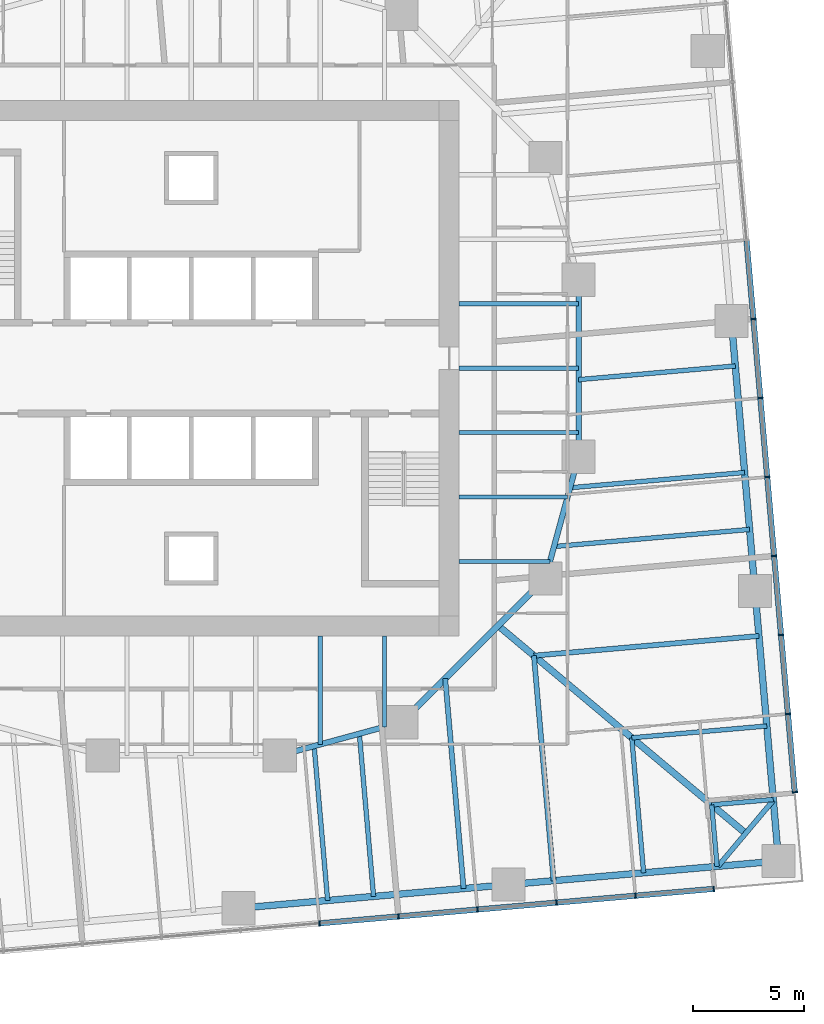
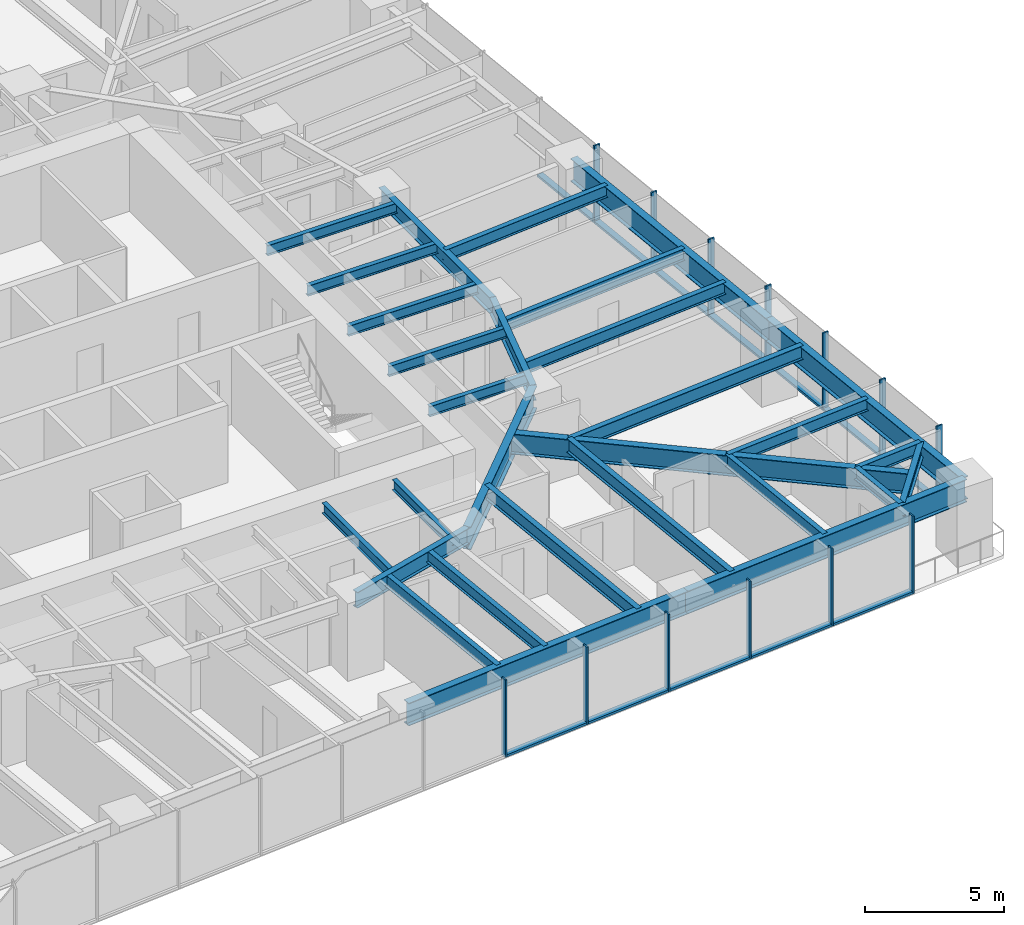
# One storey, part 4 of 14: 29 beams, 25 members, 2 elements without a shape of their own.
"""IFC4 building model written with IfcOpenShell, lengths in metres."""

from ifc_helpers import new_model, si_unit, direction, frame, origin, origin_2d, place, context, subcontext, project, spatial, rectangle, i_section, extrude, material, material_profile, profile_set, type_object, element, aggregate, save


model = new_model("IFC4")

# Units and contexts
model_context = context("Model", 3, precision=1e-05, world=origin(), true_north=direction((0.0, 1.0)))
body_context = subcontext(model_context, "Body", "Model", "MODEL_VIEW")
ifc_project = project(units=[si_unit("LENGTHUNIT", "METRE"), si_unit("AREAUNIT", "SQUARE_METRE"), si_unit("VOLUMEUNIT", "CUBIC_METRE"), si_unit("PLANEANGLEUNIT", "RADIAN"), si_unit("MASSUNIT", "GRAM", prefix="KILO")], contexts=[model_context])

# Site, building, storey
site_placement = place(None, origin())
site = spatial("IfcSite", under=ifc_project, at=site_placement, CompositionType="ELEMENT")
building_placement = place(site_placement, origin())
building = spatial("IfcBuilding", under=site, at=building_placement, Name="Torsade Residences", CompositionType="ELEMENT")
storey_placement = place(building_placement, frame((0.0, 0.0, 47.199951171875)))
storey = spatial("IfcBuildingStorey", under=building, at=storey_placement, Name="L12", CompositionType="ELEMENT", Elevation=47.199951171875)

# Beams
ifc_material_1 = material(Name="Steel grade 300", Category="steel")
ifc_material_profile_1 = material_profile(ifc_material_1, i_section(OverallWidth=0.300048828125, OverallDepth=0.89990234375, WebThickness=0.011962890625, FlangeThickness=0.02490234375, at=origin_2d()), Name="900WB175")
ifc_profile_set_1 = profile_set([ifc_material_profile_1], Name="Steel grade 300")
beam_type_1 = type_object("IfcBeamType", Name="CORNER GIRDER 900WB175", PredefinedType="BEAM", material=ifc_profile_set_1)
beam_1_placement = place(storey_placement, frame((65.052490234375, 8.978515625, 2.800048828125), z_axis=(-0.766046281307, 0.642785419012, 0.0), x_axis=(-0.642785419012, -0.766046281307, 0.0)))
element("IfcBeam", 1, at=beam_1_placement, inside=storey, type_object=beam_type_1, Name="Corner girder 05 L13", PredefinedType="BEAM", context=body_context, shape_type="SweptSolid", body=[
    extrude(i_section(OverallWidth=0.300048828125, OverallDepth=0.89990234375, WebThickness=0.011962890625, FlangeThickness=0.02490234375, at=origin_2d()), origin(), (0.0, 0.0, 1.0), 14.603515625),
])
ifc_material_2 = material(Name="Steel grade 300", Category="steel")
ifc_material_profile_2 = material_profile(ifc_material_2, i_section(OverallWidth=0.22802734375, OverallDepth=0.60205078125, WebThickness=0.010498046875, FlangeThickness=0.014892578125, FilletRadius=0.013916015625, at=origin_2d()), Name="610UB101")
ifc_profile_set_2 = profile_set([ifc_material_profile_2], Name="Steel grade 300")
beam_type_2 = type_object("IfcBeamType", Name="CORNER TRIMMER 610UB101", PredefinedType="BEAM", material=ifc_profile_set_2)
beam_2_placement = place(storey_placement, frame((66.302490234375, 10.468017578125, 2.948974609375), z_axis=(-0.642804819911, -0.766030001697, 0.0), x_axis=(0.766030001697, -0.642804819911, 0.0)))
element("IfcBeam", 2, at=beam_2_placement, inside=storey, type_object=beam_type_2, Name="Corner trimmer 05 L13", PredefinedType="BEAM", context=body_context, shape_type="SweptSolid", body=[
    extrude(i_section(OverallWidth=0.22802734375, OverallDepth=0.60205078125, WebThickness=0.010498046875, FlangeThickness=0.014892578125, FilletRadius=0.013916015625, at=origin_2d()), origin(), (0.0, 0.0, 1.0), 3.88916015625),
])

# Curtain wall, members
ifc_material_3 = material(Name="Aluminium and glass", Category="aluminium")
curtain_wall_type = type_object("IfcCurtainWallType", Name="FRITTED GLASS CURTAIN WALL LOW ZONE", PredefinedType="NOTDEFINED", material=ifc_material_3)
curtain_wall_1_placement = place(storey_placement, origin())
curtain_wall_1 = element("IfcCurtainWall", 3, at=curtain_wall_1_placement, inside=storey, type_object=curtain_wall_type, Name="Curtain wall L12 face 1", PredefinedType="NOTDEFINED")
ifc_material_4 = material(Name="Aluminium mullion", Category="aluminium")
ifc_material_profile_3 = material_profile(ifc_material_4, rectangle(XDim=0.25, YDim=0.06494140625, at=origin_2d()), Name="CURTAIN WALL MULLION 250x65")
ifc_profile_set_3 = profile_set([ifc_material_profile_3], Name="Aluminium mullion")
member_type_1 = type_object("IfcMemberType", Name="CURTAIN WALL MULLION 250x65", PredefinedType="MULLION", material=ifc_profile_set_3)
member_1_placement = place(storey_placement, frame((45.792236328125, 4.909423828125, 0.0), z_axis=(0.0, 0.0, 1.0), x_axis=(-0.087155744208, 0.996194697964, 0.0)))
member_1 = element("IfcMember", 4, at=member_1_placement, type_object=member_type_1, Name="Mullion 8", PredefinedType="MULLION", context=body_context, shape_type="SweptSolid", body=[
    extrude(rectangle(XDim=0.25, YDim=0.06494140625, at=origin_2d()), origin(), (0.0, 0.0, 1.0), 3.400146484375),
])
member_2_placement = place(storey_placement, frame((49.36181640625, 5.2216796875, 0.0), z_axis=(0.0, 0.0, 1.0), x_axis=(-0.087155744208, 0.996194697964, 0.0)))
member_2 = element("IfcMember", 5, at=member_2_placement, type_object=member_type_1, Name="Mullion 9", PredefinedType="MULLION", context=body_context, shape_type="SweptSolid", body=[
    extrude(rectangle(XDim=0.25, YDim=0.06494140625, at=origin_2d()), origin(), (0.0, 0.0, 1.0), 3.400146484375),
])
member_3_placement = place(storey_placement, frame((52.931640625, 5.533935546875, 0.0), z_axis=(0.0, 0.0, 1.0), x_axis=(-0.087155744208, 0.996194697964, 0.0)))
member_3 = element("IfcMember", 6, at=member_3_placement, type_object=member_type_1, Name="Mullion 10", PredefinedType="MULLION", context=body_context, shape_type="SweptSolid", body=[
    extrude(rectangle(XDim=0.25, YDim=0.06494140625, at=origin_2d()), origin(), (0.0, 0.0, 1.0), 3.400146484375),
])
member_4_placement = place(storey_placement, frame((56.501220703125, 5.84619140625, 0.0), z_axis=(0.0, 0.0, 1.0), x_axis=(-0.087155744208, 0.996194697964, 0.0)))
member_4 = element("IfcMember", 7, at=member_4_placement, type_object=member_type_1, Name="Mullion 11", PredefinedType="MULLION", context=body_context, shape_type="SweptSolid", body=[
    extrude(rectangle(XDim=0.25, YDim=0.06494140625, at=origin_2d()), origin(), (0.0, 0.0, 1.0), 3.400146484375),
])
member_5_placement = place(storey_placement, frame((60.071044921875, 6.15869140625, 0.0), z_axis=(0.0, 0.0, 1.0), x_axis=(-0.087155744208, 0.996194697964, 0.0)))
member_5 = element("IfcMember", 8, at=member_5_placement, type_object=member_type_1, Name="Mullion 12", PredefinedType="MULLION", context=body_context, shape_type="SweptSolid", body=[
    extrude(rectangle(XDim=0.25, YDim=0.06494140625, at=origin_2d()), origin(), (0.0, 0.0, 1.0), 3.400146484375),
])
member_6_placement = place(storey_placement, frame((63.6083984375, 6.468017578125, 0.0), z_axis=(0.0, 0.0, 1.0), x_axis=(-0.087155744208, 0.996194697964, 0.0)))
member_6 = element("IfcMember", 9, at=member_6_placement, type_object=member_type_1, Name="Mullion 13", PredefinedType="MULLION", context=body_context, shape_type="SweptSolid", body=[
    extrude(rectangle(XDim=0.25, YDim=0.06494140625, at=origin_2d()), origin(), (0.0, 0.0, 1.0), 3.400146484375),
])

curtain_wall_2_placement = place(storey_placement, origin())
curtain_wall_2 = element("IfcCurtainWall", 10, at=curtain_wall_2_placement, inside=storey, type_object=curtain_wall_type, Name="Curtain wall L12 face 4", PredefinedType="NOTDEFINED")
member_7_placement = place(storey_placement, frame((67.27392578125, 10.836669921875, 0.0), z_axis=(0.0, 0.0, 1.0), x_axis=(-0.996194697964, -0.087155744208, 0.0)))
member_7 = element("IfcMember", 11, at=member_7_placement, type_object=member_type_1, Name="Mullion 1", PredefinedType="MULLION", context=body_context, shape_type="SweptSolid", body=[
    extrude(rectangle(XDim=0.25, YDim=0.06494140625, at=origin_2d()), origin(), (0.0, 0.0, 1.0), 3.400146484375),
])
member_8_placement = place(storey_placement, frame((66.964599609375, 14.3740234375, 0.0), z_axis=(0.0, 0.0, 1.0), x_axis=(-0.996194697964, -0.087155744208, 0.0)))
member_8 = element("IfcMember", 12, at=member_8_placement, type_object=member_type_1, Name="Mullion 2", PredefinedType="MULLION", context=body_context, shape_type="SweptSolid", body=[
    extrude(rectangle(XDim=0.25, YDim=0.06494140625, at=origin_2d()), origin(), (0.0, 0.0, 1.0), 3.400146484375),
])
member_9_placement = place(storey_placement, frame((66.652099609375, 17.943603515625, 0.0), z_axis=(0.0, 0.0, 1.0), x_axis=(-0.996194697964, -0.087155744208, 0.0)))
member_9 = element("IfcMember", 13, at=member_9_placement, type_object=member_type_1, Name="Mullion 3", PredefinedType="MULLION", context=body_context, shape_type="SweptSolid", body=[
    extrude(rectangle(XDim=0.25, YDim=0.06494140625, at=origin_2d()), origin(), (0.0, 0.0, 1.0), 3.400146484375),
])
member_10_placement = place(storey_placement, frame((66.33984375, 21.513427734375, 0.0), z_axis=(0.0, 0.0, 1.0), x_axis=(-0.996194697964, -0.087155744208, 0.0)))
member_10 = element("IfcMember", 14, at=member_10_placement, type_object=member_type_1, Name="Mullion 4", PredefinedType="MULLION", context=body_context, shape_type="SweptSolid", body=[
    extrude(rectangle(XDim=0.25, YDim=0.06494140625, at=origin_2d()), origin(), (0.0, 0.0, 1.0), 3.400146484375),
])
member_11_placement = place(storey_placement, frame((66.027587890625, 25.0830078125, 0.0), z_axis=(0.0, 0.0, 1.0), x_axis=(-0.996194697964, -0.087155744208, 0.0)))
member_11 = element("IfcMember", 15, at=member_11_placement, type_object=member_type_1, Name="Mullion 5", PredefinedType="MULLION", context=body_context, shape_type="SweptSolid", body=[
    extrude(rectangle(XDim=0.25, YDim=0.06494140625, at=origin_2d()), origin(), (0.0, 0.0, 1.0), 3.400146484375),
])
member_12_placement = place(storey_placement, frame((65.71533203125, 28.65283203125, 0.0), z_axis=(0.0, 0.0, 1.0), x_axis=(-0.996194697964, -0.087155744208, 0.0)))
member_12 = element("IfcMember", 16, at=member_12_placement, type_object=member_type_1, Name="Mullion 6", PredefinedType="MULLION", context=body_context, shape_type="SweptSolid", body=[
    extrude(rectangle(XDim=0.25, YDim=0.06494140625, at=origin_2d()), origin(), (0.0, 0.0, 1.0), 3.400146484375),
])
member_13_placement = place(storey_placement, frame((65.403076171875, 32.222412109375, 0.0), z_axis=(0.0, 0.0, 1.0), x_axis=(-0.996194697964, -0.087155744208, 0.0)))
member_13 = element("IfcMember", 17, at=member_13_placement, type_object=member_type_1, Name="Mullion 7", PredefinedType="MULLION", context=body_context, shape_type="SweptSolid", body=[
    extrude(rectangle(XDim=0.25, YDim=0.06494140625, at=origin_2d()), origin(), (0.0, 0.0, 1.0), 3.400146484375),
])

# Member
ifc_material_5 = material(Name="Aluminium transom", Category="aluminium")
ifc_material_profile_4 = material_profile(ifc_material_5, rectangle(XDim=0.25, YDim=0.10009765625, at=origin_2d()), Name="CURTAIN WALL TRANSOM 250x100")
ifc_profile_set_4 = profile_set([ifc_material_profile_4], Name="Aluminium transom")
member_type_2 = type_object("IfcMemberType", Name="CURTAIN WALL TRANSOM 250x100", PredefinedType="USERDEFINED", material=ifc_profile_set_4)
member_14_placement = place(storey_placement, frame((45.824462890625, 4.912109375, 0.050048828125), z_axis=(0.996195148363, 0.08715059597, 0.0), x_axis=(-0.08715059597, 0.996195148363, 0.0)))
member_14 = element("IfcMember", 18, at=member_14_placement, type_object=member_type_2, Name="Transom 8.1", ObjectType="TRANSOM", PredefinedType="USERDEFINED", context=body_context, shape_type="SweptSolid", body=[
    extrude(rectangle(XDim=0.25, YDim=0.10009765625, at=origin_2d()), origin(), (0.0, 0.0, 1.0), 3.5185546875),
])

member_15_placement = place(storey_placement, frame((49.394287109375, 5.224365234375, 0.050048828125), z_axis=(0.996194621295, 0.087156620531, 0.0), x_axis=(-0.087156620531, 0.996194621295, 0.0)))
member_15 = element("IfcMember", 19, at=member_15_placement, type_object=member_type_2, Name="Transom 9.1", ObjectType="TRANSOM", PredefinedType="USERDEFINED", context=body_context, shape_type="SweptSolid", body=[
    extrude(rectangle(XDim=0.25, YDim=0.10009765625, at=origin_2d()), origin(), (0.0, 0.0, 1.0), 3.518310546875),
])

member_16_placement = place(storey_placement, frame((52.9638671875, 5.536865234375, 0.050048828125), z_axis=(0.996195148363, 0.08715059597, 0.0), x_axis=(-0.08715059597, 0.996195148363, 0.0)))
member_16 = element("IfcMember", 20, at=member_16_placement, type_object=member_type_2, Name="Transom 10.1", ObjectType="TRANSOM", PredefinedType="USERDEFINED", context=body_context, shape_type="SweptSolid", body=[
    extrude(rectangle(XDim=0.25, YDim=0.10009765625, at=origin_2d()), origin(), (0.0, 0.0, 1.0), 3.5185546875),
])

member_17_placement = place(storey_placement, frame((56.53369140625, 5.84912109375, 0.050048828125), z_axis=(0.996194621295, 0.087156620531, 0.0), x_axis=(-0.087156620531, 0.996194621295, 0.0)))
member_17 = element("IfcMember", 21, at=member_17_placement, type_object=member_type_2, Name="Transom 11.1", ObjectType="TRANSOM", PredefinedType="USERDEFINED", context=body_context, shape_type="SweptSolid", body=[
    extrude(rectangle(XDim=0.25, YDim=0.10009765625, at=origin_2d()), origin(), (0.0, 0.0, 1.0), 3.518310546875),
])

member_18_placement = place(storey_placement, frame((60.103271484375, 6.161376953125, 0.050048828125), z_axis=(0.996191284475, 0.08719475177, 0.0), x_axis=(-0.08719475177, 0.996191284475, 0.0)))
member_18 = element("IfcMember", 22, at=member_18_placement, type_object=member_type_2, Name="Transom 12.1", ObjectType="TRANSOM", PredefinedType="USERDEFINED", context=body_context, shape_type="SweptSolid", body=[
    extrude(rectangle(XDim=0.25, YDim=0.10009765625, at=origin_2d()), origin(), (0.0, 0.0, 1.0), 3.48583984375),
])

aggregate(curtain_wall_1, [member_1, member_2, member_3, member_4, member_5, member_6, member_14, member_15, member_16, member_17, member_18])

member_19_placement = place(storey_placement, frame((67.271240234375, 10.869140625, 0.050048828125), z_axis=(-0.0872008357, 0.996190751941, 0.0), x_axis=(-0.996190751941, -0.0872008357, 0.0)))
member_19 = element("IfcMember", 23, at=member_19_placement, type_object=member_type_2, Name="Transom 1.1", ObjectType="TRANSOM", PredefinedType="USERDEFINED", context=body_context, shape_type="SweptSolid", body=[
    extrude(rectangle(XDim=0.25, YDim=0.10009765625, at=origin_2d()), origin(), (0.0, 0.0, 1.0), 3.485595703125),
])

member_20_placement = place(storey_placement, frame((66.961669921875, 14.40625, 0.050048828125), z_axis=(-0.08715059597, 0.996195148363, 0.0), x_axis=(-0.996195148363, -0.08715059597, 0.0)))
member_20 = element("IfcMember", 24, at=member_20_placement, type_object=member_type_2, Name="Transom 2.1", ObjectType="TRANSOM", PredefinedType="USERDEFINED", context=body_context, shape_type="SweptSolid", body=[
    extrude(rectangle(XDim=0.25, YDim=0.10009765625, at=origin_2d()), origin(), (0.0, 0.0, 1.0), 3.5185546875),
])

member_21_placement = place(storey_placement, frame((66.6494140625, 17.97607421875, 0.050048828125), z_axis=(-0.087156620531, 0.996194621295, 0.0), x_axis=(-0.996194621295, -0.087156620531, 0.0)))
member_21 = element("IfcMember", 25, at=member_21_placement, type_object=member_type_2, Name="Transom 3.1", ObjectType="TRANSOM", PredefinedType="USERDEFINED", context=body_context, shape_type="SweptSolid", body=[
    extrude(rectangle(XDim=0.25, YDim=0.10009765625, at=origin_2d()), origin(), (0.0, 0.0, 1.0), 3.518310546875),
])

member_22_placement = place(storey_placement, frame((66.337158203125, 21.545654296875, 0.050048828125), z_axis=(-0.08715059597, 0.996195148363, 0.0), x_axis=(-0.996195148363, -0.08715059597, 0.0)))
member_22 = element("IfcMember", 26, at=member_22_placement, type_object=member_type_2, Name="Transom 4.1", ObjectType="TRANSOM", PredefinedType="USERDEFINED", context=body_context, shape_type="SweptSolid", body=[
    extrude(rectangle(XDim=0.25, YDim=0.10009765625, at=origin_2d()), origin(), (0.0, 0.0, 1.0), 3.5185546875),
])

member_23_placement = place(storey_placement, frame((66.024658203125, 25.115478515625, 0.050048828125), z_axis=(-0.087156620531, 0.996194621295, 0.0), x_axis=(-0.996194621295, -0.087156620531, 0.0)))
member_23 = element("IfcMember", 27, at=member_23_placement, type_object=member_type_2, Name="Transom 5.1", ObjectType="TRANSOM", PredefinedType="USERDEFINED", context=body_context, shape_type="SweptSolid", body=[
    extrude(rectangle(XDim=0.25, YDim=0.10009765625, at=origin_2d()), origin(), (0.0, 0.0, 1.0), 3.518310546875),
])

member_24_placement = place(storey_placement, frame((65.71240234375, 28.68505859375, 0.050048828125), z_axis=(-0.08715059597, 0.996195148363, 0.0), x_axis=(-0.996195148363, -0.08715059597, 0.0)))
member_24 = element("IfcMember", 28, at=member_24_placement, type_object=member_type_2, Name="Transom 6.1", ObjectType="TRANSOM", PredefinedType="USERDEFINED", context=body_context, shape_type="SweptSolid", body=[
    extrude(rectangle(XDim=0.25, YDim=0.10009765625, at=origin_2d()), origin(), (0.0, 0.0, 1.0), 3.5185546875),
])

member_25_placement = place(storey_placement, frame((65.400146484375, 32.2548828125, 0.050048828125), z_axis=(-0.087156620531, 0.996194621295, 0.0), x_axis=(-0.996194621295, -0.087156620531, 0.0)))
member_25 = element("IfcMember", 29, at=member_25_placement, type_object=member_type_2, Name="Transom 7.1", ObjectType="TRANSOM", PredefinedType="USERDEFINED", context=body_context, shape_type="SweptSolid", body=[
    extrude(rectangle(XDim=0.25, YDim=0.10009765625, at=origin_2d()), origin(), (0.0, 0.0, 1.0), 3.518310546875),
])

aggregate(curtain_wall_2, [member_7, member_8, member_9, member_10, member_11, member_12, member_13, member_19, member_20, member_21, member_22, member_23, member_24, member_25])

# Beams
ifc_material_6 = material(Name="Steel grade 300", Category="steel")
ifc_material_profile_5 = material_profile(ifc_material_6, i_section(OverallWidth=0.300048828125, OverallDepth=1.0, WebThickness=0.01611328125, FlangeThickness=0.028076171875, at=origin_2d()), Name="1000WB215")
ifc_profile_set_5 = profile_set([ifc_material_profile_5], Name="Steel grade 300")
beam_type_3 = type_object("IfcBeamType", Name="EDGE BEAM 1000WB215", PredefinedType="SPANDREL", material=ifc_profile_set_5)
for number, where, z_axis, x_axis, name in (
    (30, (42.13525390625, 5.59326171875, 2.75), (0.996194907201, 0.08715335259, 0.0), (-0.08715335259, 0.996194907201, 0.0), "Edge beam 03 L13"),
    (31, (54.338623046875, 6.660888671875, 2.75), (0.996194907201, 0.08715335259, 0.0), (-0.08715335259, 0.996194907201, 0.0), "Edge beam 04 L13"),
    (32, (66.5419921875, 7.728515625, 2.75), (-0.08715335259, 0.996194907201, 0.0), (-0.996194907201, -0.08715335259, 0.0), "Edge beam 05 L13"),
    (33, (65.474365234375, 19.931884765625, 2.75), (-0.08715335259, 0.996194907201, 0.0), (-0.996194907201, -0.08715335259, 0.0), "Edge beam 06 L13"),
):
    element("IfcBeam", number, at=place(storey_placement, frame(where, z_axis=z_axis, x_axis=x_axis)), inside=storey, type_object=beam_type_3, Name=name, PredefinedType="SPANDREL", context=body_context, shape_type="SweptSolid", body=[
        extrude(i_section(OverallWidth=0.300048828125, OverallDepth=1.0, WebThickness=0.01611328125, FlangeThickness=0.028076171875, at=origin_2d()), origin(), (0.0, 0.0, 1.0), 12.25),
    ])
ifc_material_7 = material(Name="Steel grade 300", Category="steel")
ifc_material_profile_6 = material_profile(ifc_material_7, i_section(OverallWidth=0.18994140625, OverallDepth=0.4541015625, WebThickness=0.008544921875, FlangeThickness=0.0126953125, FilletRadius=0.011474609375, at=origin_2d()), Name="460UB67.1")
ifc_profile_set_6 = profile_set([ifc_material_profile_6], Name="Steel grade 300")
beam_type_4 = type_object("IfcBeamType", Name="INNER FLOOR BEAM 460UB67.1", PredefinedType="JOIST", material=ifc_profile_set_6)
beam_3_placement = place(storey_placement, frame((48.737548828125, 17.89990234375, 3.02294921875), z_axis=(0.0, -1.0, 0.0), x_axis=(1.0, 0.0, 0.0)))
element("IfcBeam", 34, at=beam_3_placement, inside=storey, type_object=beam_type_4, Name="Inner floor beam IS01 L13", PredefinedType="JOIST", context=body_context, shape_type="SweptSolid", body=[
    extrude(i_section(OverallWidth=0.18994140625, OverallDepth=0.4541015625, WebThickness=0.008544921875, FlangeThickness=0.0126953125, FilletRadius=0.011474609375, at=origin_2d()), origin(), (0.0, 0.0, 1.0), 4.10791015625),
])
beam_4_placement = place(storey_placement, frame((45.824951171875, 17.89990234375, 3.02294921875), z_axis=(0.0, -1.0, 0.0), x_axis=(1.0, 0.0, 0.0)))
element("IfcBeam", 35, at=beam_4_placement, inside=storey, type_object=beam_type_4, Name="Inner floor beam IS02 L13", PredefinedType="JOIST", context=body_context, shape_type="SweptSolid", body=[
    extrude(i_section(OverallWidth=0.18994140625, OverallDepth=0.4541015625, WebThickness=0.008544921875, FlangeThickness=0.0126953125, FilletRadius=0.011474609375, at=origin_2d()), origin(), (0.0, 0.0, 1.0), 4.902099609375),
])
beam_5_placement = place(storey_placement, frame((52.10009765625, 21.262451171875, 3.02294921875), z_axis=(1.0, 0.0, 0.0), x_axis=(0.0, 1.0, 0.0)))
element("IfcBeam", 36, at=beam_5_placement, inside=storey, type_object=beam_type_4, Name="Inner floor beam IE01 L13", PredefinedType="JOIST", context=body_context, shape_type="SweptSolid", body=[
    extrude(i_section(OverallWidth=0.18994140625, OverallDepth=0.4541015625, WebThickness=0.008544921875, FlangeThickness=0.0126953125, FilletRadius=0.011474609375, at=origin_2d()), origin(), (0.0, 0.0, 1.0), 4.10791015625),
])
beam_6_placement = place(storey_placement, frame((52.10009765625, 24.175048828125, 3.02294921875), z_axis=(1.0, 0.0, 0.0), x_axis=(0.0, 1.0, 0.0)))
element("IfcBeam", 37, at=beam_6_placement, inside=storey, type_object=beam_type_4, Name="Inner floor beam IE02 L13", PredefinedType="JOIST", context=body_context, shape_type="SweptSolid", body=[
    extrude(i_section(OverallWidth=0.18994140625, OverallDepth=0.4541015625, WebThickness=0.008544921875, FlangeThickness=0.0126953125, FilletRadius=0.011474609375, at=origin_2d()), origin(), (0.0, 0.0, 1.0), 4.902099609375),
])
for number, where, z_axis, x_axis, name in (
    (38, (52.10009765625, 27.08740234375, 3.02294921875), (1.0, 0.0, 0.0), (0.0, 1.0, 0.0), "Inner floor beam IE03 L13"),
    (39, (52.10009765625, 30.0, 3.02294921875), (1.0, 0.0, 0.0), (0.0, 1.0, 0.0), "Inner floor beam IE04 L13"),
    (40, (52.10009765625, 32.91259765625, 3.02294921875), (1.0, 0.0, 0.0), (0.0, 1.0, 0.0), "Inner floor beam IE05 L13"),
):
    element("IfcBeam", number, at=place(storey_placement, frame(where, z_axis=z_axis, x_axis=x_axis)), inside=storey, type_object=beam_type_4, Name=name, PredefinedType="JOIST", context=body_context, shape_type="SweptSolid", body=[
        extrude(i_section(OverallWidth=0.18994140625, OverallDepth=0.4541015625, WebThickness=0.008544921875, FlangeThickness=0.0126953125, FilletRadius=0.011474609375, at=origin_2d()), origin(), (0.0, 0.0, 1.0), 5.39990234375),
    ])
ifc_material_8 = material(Name="Steel grade 300", Category="steel")
ifc_material_profile_7 = material_profile(ifc_material_8, i_section(OverallWidth=0.300048828125, OverallDepth=1.0, WebThickness=0.01611328125, FlangeThickness=0.028076171875, at=origin_2d()), Name="1000WB215")
ifc_profile_set_7 = profile_set([ifc_material_profile_7], Name="Steel grade 300")
beam_type_5 = type_object("IfcBeamType", Name="RING CORNER GIRDER 1000WB215", PredefinedType="BEAM", material=ifc_profile_set_7)
beam_7_placement = place(storey_placement, frame((49.5, 14.0, 2.75), z_axis=(0.707106781187, 0.707106781187, 0.0), x_axis=(-0.707106781187, 0.707106781187, 0.0)))
element("IfcBeam", 41, at=beam_7_placement, inside=storey, type_object=beam_type_5, Name="Ring girder IR15 L13", PredefinedType="BEAM", context=body_context, shape_type="SweptSolid", body=[
    extrude(i_section(OverallWidth=0.300048828125, OverallDepth=1.0, WebThickness=0.01611328125, FlangeThickness=0.028076171875, at=origin_2d()), origin(), (0.0, 0.0, 1.0), 9.1923828125),
])
ifc_material_9 = material(Name="Steel grade 300", Category="steel")
ifc_material_profile_8 = material_profile(ifc_material_9, i_section(OverallWidth=0.25, OverallDepth=0.699951171875, WebThickness=0.010009765625, FlangeThickness=0.02001953125, at=origin_2d()), Name="700WB130")
ifc_profile_set_8 = profile_set([ifc_material_profile_8], Name="Steel grade 300")
beam_type_6 = type_object("IfcBeamType", Name="RING GIRDER 700WB130", PredefinedType="BEAM", material=ifc_profile_set_8)
beam_8_placement = place(storey_placement, frame((57.5, 26.0, 2.900146484375), z_axis=(0.0, 1.0, 0.0), x_axis=(-1.0, 0.0, 0.0)))
element("IfcBeam", 42, at=beam_8_placement, inside=storey, type_object=beam_type_6, Name="Ring girder IR01 L13", PredefinedType="BEAM", context=body_context, shape_type="SweptSolid", body=[
    extrude(i_section(OverallWidth=0.25, OverallDepth=0.699951171875, WebThickness=0.010009765625, FlangeThickness=0.02001953125, at=origin_2d()), origin(), (0.0, 0.0, 1.0), 8.0),
])
for number, where, z_axis, x_axis, name in (
    (43, (44.0, 12.5, 2.900146484375), (0.964763821238, 0.263117405792, 0.0), (-0.263117405792, 0.964763821238, 0.0), "Ring girder IR14 L13"),
    (44, (56.0, 20.5, 2.900146484375), (0.263117405792, 0.964763821238, 0.0), (-0.964763821238, 0.263117405792, 0.0), "Ring girder IR16 L13"),
):
    element("IfcBeam", number, at=place(storey_placement, frame(where, z_axis=z_axis, x_axis=x_axis)), inside=storey, type_object=beam_type_6, Name=name, PredefinedType="BEAM", context=body_context, shape_type="SweptSolid", body=[
        extrude(i_section(OverallWidth=0.25, OverallDepth=0.699951171875, WebThickness=0.010009765625, FlangeThickness=0.02001953125, at=origin_2d()), origin(), (0.0, 0.0, 1.0), 5.700927734375),
    ])
ifc_material_10 = material(Name="Steel grade 300", Category="steel")
ifc_material_profile_9 = material_profile(ifc_material_10, i_section(OverallWidth=0.208984375, OverallDepth=0.528076171875, WebThickness=0.009521484375, FlangeThickness=0.01318359375, FilletRadius=0.013916015625, at=origin_2d()), Name="530UB82.0")
ifc_profile_set_9 = profile_set([ifc_material_profile_9], Name="Steel grade 300")
beam_type_7 = type_object("IfcBeamType", Name="SECONDARY BEAM 530UB82.0", PredefinedType="JOIST", material=ifc_profile_set_9)
beam_9_placement = place(storey_placement, frame((46.16162109375, 5.945556640625, 2.986083984375), z_axis=(-0.087175598142, 0.99619296077, 0.0), x_axis=(-0.99619296077, -0.087175598142, 0.0)))
element("IfcBeam", 45, at=beam_9_placement, inside=storey, type_object=beam_type_7, Name="Floor beam FS07 L13", PredefinedType="JOIST", context=body_context, shape_type="SweptSolid", body=[
    extrude(i_section(OverallWidth=0.208984375, OverallDepth=0.528076171875, WebThickness=0.009521484375, FlangeThickness=0.01318359375, FilletRadius=0.013916015625, at=origin_2d()), origin(), (0.0, 0.0, 1.0), 7.004150390625),
])
beam_10_placement = place(storey_placement, frame((48.237060546875, 6.126953125, 2.986083984375), z_axis=(-0.087156282128, 0.996194650902, 0.0), x_axis=(-0.996194650902, -0.087156282128, 0.0)))
element("IfcBeam", 46, at=beam_10_placement, inside=storey, type_object=beam_type_7, Name="Floor beam FS08 L13", PredefinedType="JOIST", context=body_context, shape_type="SweptSolid", body=[
    extrude(i_section(OverallWidth=0.208984375, OverallDepth=0.528076171875, WebThickness=0.009521484375, FlangeThickness=0.01318359375, FilletRadius=0.013916015625, at=origin_2d()), origin(), (0.0, 0.0, 1.0), 7.381103515625),
])
beam_11_placement = place(storey_placement, frame((60.4404296875, 7.19482421875, 2.986083984375), z_axis=(-0.087174861801, 0.996193025206, 0.0), x_axis=(-0.996193025206, -0.087174861801, 0.0)))
element("IfcBeam", 47, at=beam_11_placement, inside=storey, type_object=beam_type_7, Name="Floor beam FS11 L13", PredefinedType="JOIST", context=body_context, shape_type="SweptSolid", body=[
    extrude(i_section(OverallWidth=0.208984375, OverallDepth=0.528076171875, WebThickness=0.009521484375, FlangeThickness=0.01318359375, FilletRadius=0.013916015625, at=origin_2d()), origin(), (0.0, 0.0, 1.0), 6.125),
])
for number, where, z_axis, x_axis, name in (
    (48, (63.760986328125, 7.4853515625, 2.986083984375), (-0.087105111923, 0.996199126418, 0.0), (-0.996199126418, -0.087105111923, 0.0), "Floor beam FS12 L13"),
    (49, (66.298828125, 10.509521484375, 2.986083984375), (-0.996199126418, -0.087105111923, 0.0), (0.087105111923, -0.996199126418, 0.0), "Floor beam FE01 L13"),
):
    element("IfcBeam", number, at=place(storey_placement, frame(where, z_axis=z_axis, x_axis=x_axis)), inside=storey, type_object=beam_type_7, Name=name, PredefinedType="JOIST", context=body_context, shape_type="SweptSolid", body=[
        extrude(i_section(OverallWidth=0.208984375, OverallDepth=0.528076171875, WebThickness=0.009521484375, FlangeThickness=0.01318359375, FilletRadius=0.013916015625, at=origin_2d()), origin(), (0.0, 0.0, 1.0), 2.79150390625),
    ])
beam_12_placement = place(storey_placement, frame((66.00830078125, 13.830322265625, 2.986083984375), z_axis=(-0.996193328106, -0.087171400335, 0.0), x_axis=(0.087171400335, -0.996193328106, 0.0)))
element("IfcBeam", 50, at=beam_12_placement, inside=storey, type_object=beam_type_7, Name="Floor beam FE02 L13", PredefinedType="JOIST", context=body_context, shape_type="SweptSolid", body=[
    extrude(i_section(OverallWidth=0.208984375, OverallDepth=0.528076171875, WebThickness=0.009521484375, FlangeThickness=0.01318359375, FilletRadius=0.013916015625, at=origin_2d()), origin(), (0.0, 0.0, 1.0), 6.125244140625),
])
beam_13_placement = place(storey_placement, frame((65.231201171875, 22.712890625, 2.986083984375), z_axis=(-0.996195539225, -0.08714612802, 0.0), x_axis=(0.08714612802, -0.996195539225, 0.0)))
element("IfcBeam", 51, at=beam_13_placement, inside=storey, type_object=beam_type_7, Name="Floor beam FE04 L13", PredefinedType="JOIST", context=body_context, shape_type="SweptSolid", body=[
    extrude(i_section(OverallWidth=0.208984375, OverallDepth=0.528076171875, WebThickness=0.009521484375, FlangeThickness=0.01318359375, FilletRadius=0.013916015625, at=origin_2d()), origin(), (0.0, 0.0, 1.0), 8.872314453125),
])
beam_14_placement = place(storey_placement, frame((65.005859375, 25.286376953125, 2.986083984375), z_axis=(-0.996194520605, -0.087157771408, 0.0), x_axis=(0.087157771408, -0.996194520605, 0.0)))
element("IfcBeam", 52, at=beam_14_placement, inside=storey, type_object=beam_type_7, Name="Floor beam FE05 L13", PredefinedType="JOIST", context=body_context, shape_type="SweptSolid", body=[
    extrude(i_section(OverallWidth=0.208984375, OverallDepth=0.528076171875, WebThickness=0.009521484375, FlangeThickness=0.01318359375, FilletRadius=0.013916015625, at=origin_2d()), origin(), (0.0, 0.0, 1.0), 7.918701171875),
])
beam_15_placement = place(storey_placement, frame((64.584716796875, 30.101318359375, 2.986083984375), z_axis=(-0.996197182094, -0.087127345813, 0.0), x_axis=(0.087127345813, -0.996197182094, 0.0)))
element("IfcBeam", 53, at=beam_15_placement, inside=storey, type_object=beam_type_7, Name="Floor beam FE06 L13", PredefinedType="JOIST", context=body_context, shape_type="SweptSolid", body=[
    extrude(i_section(OverallWidth=0.208984375, OverallDepth=0.528076171875, WebThickness=0.009521484375, FlangeThickness=0.01318359375, FilletRadius=0.013916015625, at=origin_2d()), origin(), (0.0, 0.0, 1.0), 7.11181640625),
])
ifc_material_11 = material(Name="Steel grade 300", Category="steel")
ifc_material_profile_10 = material_profile(ifc_material_11, i_section(OverallWidth=0.22900390625, OverallDepth=0.612060546875, WebThickness=0.011962890625, FlangeThickness=0.01953125, FilletRadius=0.013916015625, at=origin_2d()), Name="610UB125")
ifc_profile_set_10 = profile_set([ifc_material_profile_10], Name="Steel grade 300")
beam_type_8 = type_object("IfcBeamType", Name="SECONDARY BEAM 610UB125", PredefinedType="JOIST", material=ifc_profile_set_10)
beam_16_placement = place(storey_placement, frame((52.3046875, 6.48291015625, 2.944091796875), z_axis=(-0.087148195942, 0.996195358323, 0.0), x_axis=(-0.996195358323, -0.087148195942, 0.0)))
element("IfcBeam", 54, at=beam_16_placement, inside=storey, type_object=beam_type_8, Name="Floor beam FS09 L13", PredefinedType="JOIST", context=body_context, shape_type="SweptSolid", body=[
    extrude(i_section(OverallWidth=0.22900390625, OverallDepth=0.612060546875, WebThickness=0.011962890625, FlangeThickness=0.01953125, FilletRadius=0.013916015625, at=origin_2d()), origin(), (0.0, 0.0, 1.0), 9.527587890625),
])
for number, where, z_axis, x_axis, name in (
    (55, (56.37255859375, 6.8388671875, 2.944091796875), (-0.087149742944, 0.996195222988, 0.0), (-0.996195222988, -0.087149742944, 0.0), "Floor beam FS10 L13"),
    (56, (65.65234375, 17.89794921875, 2.944091796875), (-0.996195222988, -0.087149742944, 0.0), (0.087149742944, -0.996195222988, 0.0), "Floor beam FE03 L13"),
):
    element("IfcBeam", number, at=place(storey_placement, frame(where, z_axis=z_axis, x_axis=x_axis)), inside=storey, type_object=beam_type_8, Name=name, PredefinedType="JOIST", context=body_context, shape_type="SweptSolid", body=[
        extrude(i_section(OverallWidth=0.22900390625, OverallDepth=0.612060546875, WebThickness=0.011962890625, FlangeThickness=0.01953125, FilletRadius=0.013916015625, at=origin_2d()), origin(), (0.0, 0.0, 1.0), 10.208251953125),
    ])

save(model, "model.ifc")
